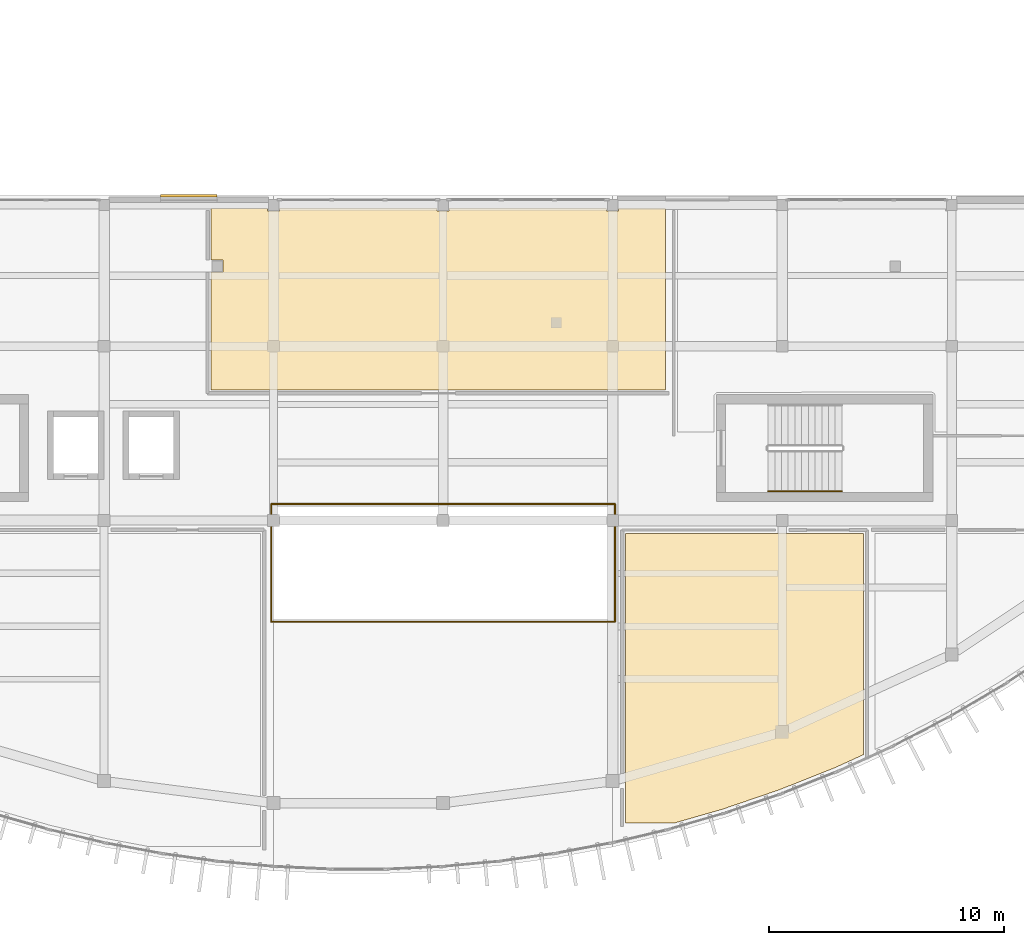
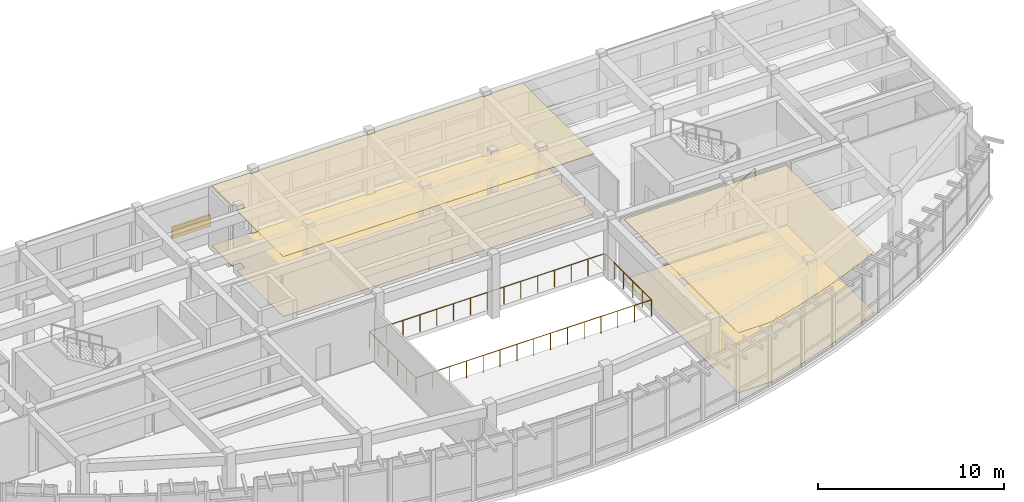
# One storey, part 56 of 60: 4 coverings, 3 railings, 1 shading device.
"""IFC4 building model written with IfcOpenShell, lengths in metres."""

from ifc_helpers import new_model, si_unit, direction, frame, origin, origin_2d, place, context, subcontext, project, spatial, polyline, rectangle, circle, outline, extrude, material, layer, layer_set, type_object, element, save


model = new_model("IFC4")

# Units and contexts
model_context = context("Model", 3, precision=1e-05, world=origin(), true_north=direction((0.0, 1.0)))
body_context = subcontext(model_context, "Body", "Model", "MODEL_VIEW")
ifc_project = project(units=[si_unit("LENGTHUNIT", "METRE"), si_unit("AREAUNIT", "SQUARE_METRE"), si_unit("VOLUMEUNIT", "CUBIC_METRE"), si_unit("PLANEANGLEUNIT", "RADIAN"), si_unit("MASSUNIT", "GRAM", prefix="KILO")], contexts=[model_context])

# Site, building, storey
site_placement = place(None, origin())
site = spatial("IfcSite", under=ifc_project, at=site_placement, CompositionType="ELEMENT")
building_placement = place(site_placement, origin())
building = spatial("IfcBuilding", under=site, at=building_placement, Name="Brisavento Harbour Community Centre", CompositionType="ELEMENT")
storey_placement = place(building_placement, frame((0.0, 0.0, 4.5)))
storey = spatial("IfcBuildingStorey", under=building, at=storey_placement, Name="L01", CompositionType="ELEMENT", Elevation=4.5)

# Coverings
ifc_material_1 = material(Name="Perforated acoustic gypsum ceiling board", Category="other")
ifc_layer_1 = layer(ifc_material_1, 0.02490234375, Name="Perforated acoustic gypsum ceiling board")
ifc_layer_set_1 = layer_set([ifc_layer_1], Name="Perforated acoustic gypsum ceiling board")
covering_type_1 = type_object("IfcCoveringType", Name="COV-CEIL-AC", PredefinedType="CEILING", material=ifc_layer_set_1)
covering_1_placement = place(storey_placement, frame((0.0, 0.0, 3.925048828125)))
element("IfcCovering", 1, at=covering_1_placement, inside=storey, type_object=covering_type_1, Name="L01 Adult Classroom 101 acoustic ceiling", PredefinedType="CEILING", context=body_context, shape_type="SweptSolid", body=[
    extrude(outline(polyline([(151.75, 2.14990234375), (153.813720703125, 2.14990234375), (155.888916015625, 2.748291015625), (158.271728515625, 3.56201171875), (160.65478515625, 4.509033203125), (161.85009765625, 5.05517578125), (161.85009765625, 14.449951171875), (151.75, 14.449951171875), (151.75, 2.14990234375)])), origin(), (0.0, 0.0, 1.0), 0.02490234375),
])
covering_2_placement = place(storey_placement, frame((0.0, 0.0, 3.925048828125)))
element("IfcCovering", 2, at=covering_2_placement, inside=storey, type_object=covering_type_1, Name="L01 Community Computer Study Room acoustic ceiling", PredefinedType="CEILING", context=body_context, shape_type="SweptSolid", body=[
    extrude(outline(polyline([(143.7451171875, 28.14501953125), (143.7451171875, 28.25), (137.054931640625, 28.25), (137.054931640625, 28.14501953125), (136.544921875, 28.14501953125), (136.544921875, 28.25), (134.14990234375, 28.25), (134.14990234375, 26.054931640625), (134.655029296875, 26.054931640625), (134.655029296875, 25.544921875), (134.14990234375, 25.544921875), (134.14990234375, 20.550048828125), (153.449951171875, 20.550048828125), (153.449951171875, 28.25), (151.455078125, 28.25), (151.455078125, 28.14501953125), (150.945068359375, 28.14501953125), (150.945068359375, 28.25), (144.2548828125, 28.25), (144.2548828125, 28.14501953125), (143.7451171875, 28.14501953125)])), origin(), (0.0, 0.0, 1.0), 0.02490234375),
])
ifc_material_2 = material(Name="Polished marine terrazzo tile", Category="other")
ifc_layer_2 = layer(ifc_material_2, 0.02001953125, Name="Polished marine terrazzo tile")
ifc_layer_set_2 = layer_set([ifc_layer_2], Name="Polished marine terrazzo tile")
covering_type_2 = type_object("IfcCoveringType", Name="COV-FLR-TRZ", PredefinedType="FLOORING", material=ifc_layer_set_2)
covering_3_placement = place(storey_placement, origin())
element("IfcCovering", 3, at=covering_3_placement, inside=storey, type_object=covering_type_2, Name="L01 Adult Classroom 101 terrazzo flooring", PredefinedType="FLOORING", context=body_context, shape_type="SweptSolid", body=[
    extrude(outline(polyline([(151.75, 2.14990234375), (153.813720703125, 2.14990234375), (155.888916015625, 2.748291015625), (158.271728515625, 3.56201171875), (160.65478515625, 4.509033203125), (161.85009765625, 5.05517578125), (161.85009765625, 14.449951171875), (151.75, 14.449951171875), (151.75, 2.14990234375)])), origin(), (0.0, 0.0, 1.0), 0.02001953125),
])
covering_4_placement = place(storey_placement, origin())
element("IfcCovering", 4, at=covering_4_placement, inside=storey, type_object=covering_type_2, Name="L01 Community Computer Study Room terrazzo flooring", PredefinedType="FLOORING", context=body_context, shape_type="SweptSolid", body=[
    extrude(outline(polyline([(143.7451171875, 28.14501953125), (143.7451171875, 28.25), (137.054931640625, 28.25), (137.054931640625, 28.14501953125), (136.544921875, 28.14501953125), (136.544921875, 28.25), (134.14990234375, 28.25), (134.14990234375, 26.054931640625), (134.655029296875, 26.054931640625), (134.655029296875, 25.544921875), (134.14990234375, 25.544921875), (134.14990234375, 20.550048828125), (153.449951171875, 20.550048828125), (153.449951171875, 28.25), (151.455078125, 28.25), (151.455078125, 28.14501953125), (150.945068359375, 28.14501953125), (150.945068359375, 28.25), (144.2548828125, 28.25), (144.2548828125, 28.14501953125), (143.7451171875, 28.14501953125)])), origin(), (0.0, 0.0, 1.0), 0.02001953125),
])

# Railings
ifc_material_3 = material(Name="Stainless steel 1.4401", Category="steel")
railing_type_1 = type_object("IfcRailingType", Name="RL-ATR-BAL", PredefinedType="BALUSTRADE", material=ifc_material_3)
railing_1_placement = place(storey_placement, frame((136.699951171875, 10.699951171875, 0.0)))
element("IfcRailing", 5, at=railing_1_placement, inside=storey, type_object=railing_type_1, Name="L01 atrium and gallery balustrade BAL-V3-ATR-1", PredefinedType="BALUSTRADE", context=body_context, shape_type="SweptSolid", body=[
    extrude(circle(Radius=0.02392578125, at=origin_2d()), frame((0.0, 0.0, 1.09619140625), z_axis=(1.0, 0.0, 0.0), x_axis=(0.0, 1.0, 0.0)), (0.0, 0.0, 1.0), 14.60009765625),
    extrude(circle(Radius=0.02392578125, at=origin_2d()), frame((14.60009765625, 0.0, 1.09619140625), z_axis=(0.0, 1.0, 0.0), x_axis=(-1.0, 0.0, 0.0)), (0.0, 0.0, 1.0), 5.0),
    extrude(circle(Radius=0.02099609375, at=origin_2d()), origin(), (0.0, 0.0, 1.0), 1.072021484375),
    extrude(circle(Radius=0.02099609375, at=origin_2d()), frame((1.04296875, 0.0, 0.0)), (0.0, 0.0, 1.0), 1.072021484375),
    extrude(circle(Radius=0.02099609375, at=origin_2d()), frame((2.085693359375, 0.0, 0.0)), (0.0, 0.0, 1.0), 1.072021484375),
    extrude(circle(Radius=0.02099609375, at=origin_2d()), frame((3.128662109375, 0.0, 0.0)), (0.0, 0.0, 1.0), 1.072021484375),
    extrude(circle(Radius=0.02099609375, at=origin_2d()), frame((4.17138671875, 0.0, 0.0)), (0.0, 0.0, 1.0), 1.072021484375),
    extrude(circle(Radius=0.02099609375, at=origin_2d()), frame((5.21435546875, 0.0, 0.0)), (0.0, 0.0, 1.0), 1.072021484375),
    extrude(circle(Radius=0.02099609375, at=origin_2d()), frame((6.257080078125, 0.0, 0.0)), (0.0, 0.0, 1.0), 1.072021484375),
    extrude(circle(Radius=0.02099609375, at=origin_2d()), frame((7.300048828125, 0.0, 0.0)), (0.0, 0.0, 1.0), 1.072021484375),
    extrude(circle(Radius=0.02099609375, at=origin_2d()), frame((8.343017578125, 0.0, 0.0)), (0.0, 0.0, 1.0), 1.072021484375),
    extrude(circle(Radius=0.02099609375, at=origin_2d()), frame((9.3857421875, 0.0, 0.0)), (0.0, 0.0, 1.0), 1.072021484375),
    extrude(circle(Radius=0.02099609375, at=origin_2d()), frame((10.4287109375, 0.0, 0.0)), (0.0, 0.0, 1.0), 1.072021484375),
    extrude(circle(Radius=0.02099609375, at=origin_2d()), frame((11.471435546875, 0.0, 0.0)), (0.0, 0.0, 1.0), 1.072021484375),
    extrude(circle(Radius=0.02099609375, at=origin_2d()), frame((12.514404296875, 0.0, 0.0)), (0.0, 0.0, 1.0), 1.072021484375),
    extrude(circle(Radius=0.02099609375, at=origin_2d()), frame((13.55712890625, 0.0, 0.0)), (0.0, 0.0, 1.0), 1.072021484375),
    extrude(circle(Radius=0.02099609375, at=origin_2d()), frame((14.60009765625, 0.0, 0.0)), (0.0, 0.0, 1.0), 1.072021484375),
    extrude(circle(Radius=0.02099609375, at=origin_2d()), frame((14.60009765625, 1.0, 0.0)), (0.0, 0.0, 1.0), 1.072021484375),
    extrude(circle(Radius=0.02099609375, at=origin_2d()), frame((14.60009765625, 2.0, 0.0)), (0.0, 0.0, 1.0), 1.072021484375),
    extrude(circle(Radius=0.02099609375, at=origin_2d()), frame((14.60009765625, 3.0, 0.0)), (0.0, 0.0, 1.0), 1.072021484375),
    extrude(circle(Radius=0.02099609375, at=origin_2d()), frame((14.60009765625, 4.0, 0.0)), (0.0, 0.0, 1.0), 1.072021484375),
    extrude(circle(Radius=0.02099609375, at=origin_2d()), frame((14.60009765625, 5.0, 0.0)), (0.0, 0.0, 1.0), 1.072021484375),
])
railing_2_placement = place(storey_placement, frame((151.300048828125, 15.699951171875, 0.0)))
element("IfcRailing", 6, at=railing_2_placement, inside=storey, type_object=railing_type_1, Name="L01 atrium and gallery balustrade BAL-V3-ATR-2", PredefinedType="BALUSTRADE", context=body_context, shape_type="SweptSolid", body=[
    extrude(circle(Radius=0.02392578125, at=origin_2d()), frame((0.0, 0.0, 1.09619140625), z_axis=(-1.0, 0.0, 0.0), x_axis=(0.0, -1.0, 0.0)), (0.0, 0.0, 1.0), 14.60009765625),
    extrude(circle(Radius=0.02392578125, at=origin_2d()), frame((-14.60009765625, 0.0, 1.09619140625), z_axis=(0.0, -1.0, 0.0), x_axis=(1.0, 0.0, 0.0)), (0.0, 0.0, 1.0), 5.0),
    extrude(circle(Radius=0.02099609375, at=origin_2d()), origin(), (0.0, 0.0, 1.0), 1.072021484375),
    extrude(circle(Radius=0.02099609375, at=origin_2d()), frame((-1.04296875, 0.0, 0.0)), (0.0, 0.0, 1.0), 1.072021484375),
    extrude(circle(Radius=0.02099609375, at=origin_2d()), frame((-2.085693359375, 0.0, 0.0)), (0.0, 0.0, 1.0), 1.072021484375),
    extrude(circle(Radius=0.02099609375, at=origin_2d()), frame((-3.128662109375, 0.0, 0.0)), (0.0, 0.0, 1.0), 1.072021484375),
    extrude(circle(Radius=0.02099609375, at=origin_2d()), frame((-4.17138671875, 0.0, 0.0)), (0.0, 0.0, 1.0), 1.072021484375),
    extrude(circle(Radius=0.02099609375, at=origin_2d()), frame((-5.21435546875, 0.0, 0.0)), (0.0, 0.0, 1.0), 1.072021484375),
    extrude(circle(Radius=0.02099609375, at=origin_2d()), frame((-6.257080078125, 0.0, 0.0)), (0.0, 0.0, 1.0), 1.072021484375),
    extrude(circle(Radius=0.02099609375, at=origin_2d()), frame((-7.300048828125, 0.0, 0.0)), (0.0, 0.0, 1.0), 1.072021484375),
    extrude(circle(Radius=0.02099609375, at=origin_2d()), frame((-8.343017578125, 0.0, 0.0)), (0.0, 0.0, 1.0), 1.072021484375),
    extrude(circle(Radius=0.02099609375, at=origin_2d()), frame((-9.3857421875, 0.0, 0.0)), (0.0, 0.0, 1.0), 1.072021484375),
    extrude(circle(Radius=0.02099609375, at=origin_2d()), frame((-10.4287109375, 0.0, 0.0)), (0.0, 0.0, 1.0), 1.072021484375),
    extrude(circle(Radius=0.02099609375, at=origin_2d()), frame((-11.471435546875, 0.0, 0.0)), (0.0, 0.0, 1.0), 1.072021484375),
    extrude(circle(Radius=0.02099609375, at=origin_2d()), frame((-12.514404296875, 0.0, 0.0)), (0.0, 0.0, 1.0), 1.072021484375),
    extrude(circle(Radius=0.02099609375, at=origin_2d()), frame((-13.55712890625, 0.0, 0.0)), (0.0, 0.0, 1.0), 1.072021484375),
    extrude(circle(Radius=0.02099609375, at=origin_2d()), frame((-14.60009765625, 0.0, 0.0)), (0.0, 0.0, 1.0), 1.072021484375),
    extrude(circle(Radius=0.02099609375, at=origin_2d()), frame((-14.60009765625, -1.0, 0.0)), (0.0, 0.0, 1.0), 1.072021484375),
    extrude(circle(Radius=0.02099609375, at=origin_2d()), frame((-14.60009765625, -2.0, 0.0)), (0.0, 0.0, 1.0), 1.072021484375),
    extrude(circle(Radius=0.02099609375, at=origin_2d()), frame((-14.60009765625, -3.0, 0.0)), (0.0, 0.0, 1.0), 1.072021484375),
    extrude(circle(Radius=0.02099609375, at=origin_2d()), frame((-14.60009765625, -4.0, 0.0)), (0.0, 0.0, 1.0), 1.072021484375),
    extrude(circle(Radius=0.02099609375, at=origin_2d()), frame((-14.60009765625, -5.0, 0.0)), (0.0, 0.0, 1.0), 1.072021484375),
])
railing_type_2 = type_object("IfcRailingType", Name="RL-ST-HAND", PredefinedType="HANDRAIL", material=ifc_material_3)
railing_3_placement = place(storey_placement, frame((157.800048828125, 16.25, 0.175048828125)))
element("IfcRailing", 7, at=railing_3_placement, inside=storey, type_object=railing_type_2, Name="L01 ST-05 stair handrail 1", PredefinedType="HANDRAIL", context=body_context, shape_type="SweptSolid", body=[
    extrude(circle(Radius=0.02392578125, at=origin_2d()), frame((0.0, 0.0, 0.8759765625), z_axis=(0.852166034122, 0.0, 0.523271488128), x_axis=(0.0, 1.0, 0.0)), (0.0, 0.0, 1.0), 3.678955078125),
    extrude(circle(Radius=0.02099609375, at=origin_2d()), origin(), (0.0, 0.0, 1.0), 0.851806640625),
    extrude(circle(Radius=0.02099609375, at=origin_2d()), frame((0.78369140625, 0.0, 0.481201171875)), (0.0, 0.0, 1.0), 0.851806640625),
    extrude(circle(Radius=0.02099609375, at=origin_2d()), frame((1.5673828125, 0.0, 0.96240234375)), (0.0, 0.0, 1.0), 0.851806640625),
    extrude(circle(Radius=0.02099609375, at=origin_2d()), frame((2.351318359375, 0.0, 1.44384765625)), (0.0, 0.0, 1.0), 0.851806640625),
    extrude(circle(Radius=0.02099609375, at=origin_2d()), frame((3.135009765625, 0.0, 1.925048828125)), (0.0, 0.0, 1.0), 0.851806640625),
])

# Shading device
ifc_material_4 = material(Name="Marine-anodised aluminium AW-6063-T6", Category="aluminium")
ifc_layer_3 = layer(ifc_material_4, 0.1201171875, Name="Marine-anodised aluminium AW-6063-T6")
ifc_layer_set_3 = layer_set([ifc_layer_3], Name="Marine-anodised aluminium AW-6063-T6")
shading_device_type = type_object("IfcShadingDeviceType", Name="SHD-LOUVRE", PredefinedType="JALOUSIE", material=ifc_layer_set_3)
shading_device_placement = place(storey_placement, frame((133.199951171875, 28.794921875, 0.89990234375), z_axis=(0.0, 0.0, 1.0), x_axis=(1.0, 0.0, 0.0)))
element("IfcShadingDevice", 8, at=shading_device_placement, inside=storey, type_object=shading_device_type, Name="L01 hurricane storm louvre 14", PredefinedType="JALOUSIE", context=body_context, shape_type="SweptSolid", body=[
    extrude(rectangle(XDim=2.39990234375, YDim=0.1201171875, at=origin_2d()), origin(), (0.0, 0.0, 1.0), 0.75),
])

save(model, "model.ifc")
